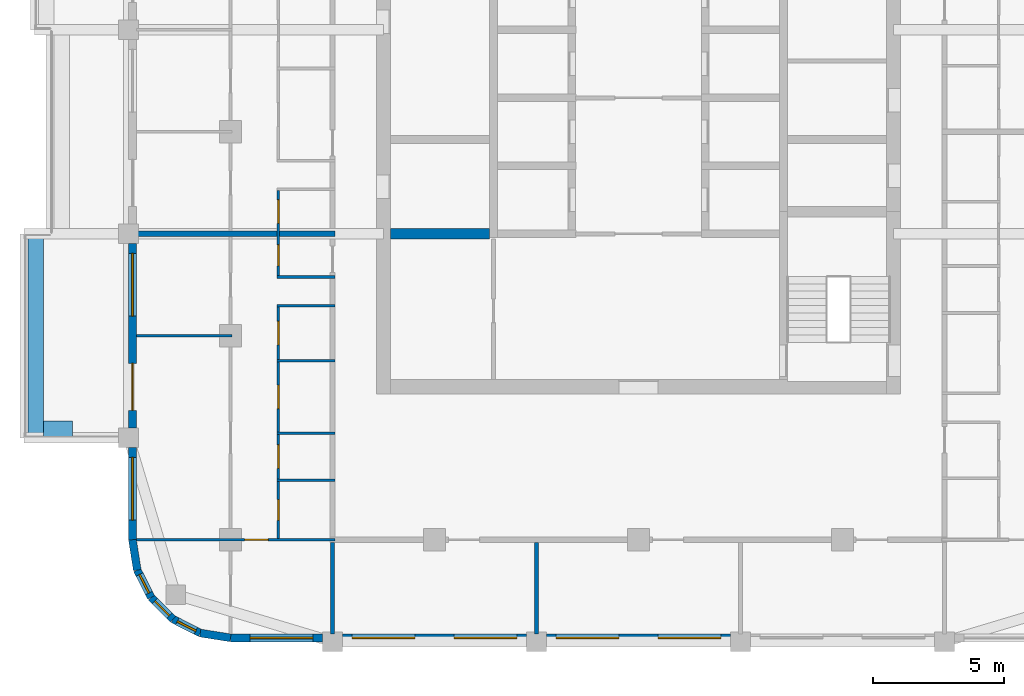
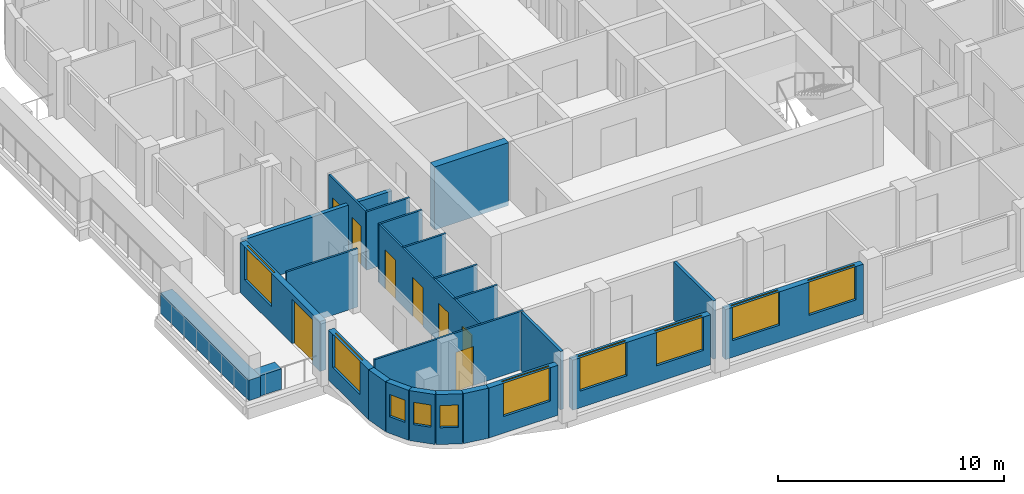
# One storey, part 2 of 13: 25 walls, 10 windows, 8 doors, 18 openings.
"""IFC4 building model written with IfcOpenShell, lengths in metres."""

from ifc_helpers import new_model, si_unit, direction, frame, frame_2d, origin, place, context, subcontext, project, spatial, rectangle, extrude, material, layer, layer_set, type_object, element, fill, save


model = new_model("IFC4")

# Units and contexts
model_context = context("Model", 3, precision=1e-05, world=origin(), true_north=direction((0.0, 1.0)))
body_context = subcontext(model_context, "Body", "Model", "MODEL_VIEW")
ifc_project = project(units=[si_unit("LENGTHUNIT", "METRE"), si_unit("AREAUNIT", "SQUARE_METRE"), si_unit("VOLUMEUNIT", "CUBIC_METRE"), si_unit("PLANEANGLEUNIT", "RADIAN"), si_unit("MASSUNIT", "GRAM", prefix="KILO")], contexts=[model_context])

# Site, building, storey
site_placement = place(None, origin())
site = spatial("IfcSite", under=ifc_project, at=site_placement, CompositionType="ELEMENT")
building_placement = place(site_placement, origin())
building = spatial("IfcBuilding", under=site, at=building_placement, Name="Ludao Terraces", CompositionType="ELEMENT")
storey_placement = place(building_placement, frame((0.0, 0.0, 152.0)))
storey = spatial("IfcBuildingStorey", under=building, at=storey_placement, Name="L41", CompositionType="ELEMENT", Elevation=152.0)

# Walls
ifc_material_1 = material(Name="Concrete C40", Category="concrete")
ifc_layer_1 = layer(ifc_material_1, 0.60009765625)
ifc_layer_set_1 = layer_set([ifc_layer_1], Name="ENV Planter trough 600")
wall_type_1 = type_object("IfcWallType", Name="ENV Planter trough 600", PredefinedType="USERDEFINED", material=ifc_layer_set_1)
wall_1_placement = place(storey_placement, frame((61.949951171875, 53.300048828125, 0.0), z_axis=(0.0, 0.0, 1.0), x_axis=(0.0, 1.0, 0.0)))
element("IfcWall", 1, at=wall_1_placement, inside=storey, type_object=wall_type_1, Name="PL-L41-W1", ObjectType="PLANTER", PredefinedType="USERDEFINED", context=body_context, shape_type="SweptSolid", body=[
    extrude(rectangle(XDim=7.800048828125, YDim=0.60009765625, at=frame_2d((3.89990234375, 0.0))), origin(), (0.0, 0.0, 1.0), 1.10009765625),
])
wall_2_placement = place(storey_placement, frame((62.25, 53.64990234375, 0.0), z_axis=(0.0, 0.0, 1.0), x_axis=(1.0, 0.0, 0.0)))
element("IfcWall", 2, at=wall_2_placement, inside=storey, type_object=wall_type_1, Name="PL-L41-W1-SA", ObjectType="PLANTER", PredefinedType="USERDEFINED", context=body_context, shape_type="SweptSolid", body=[
    extrude(rectangle(XDim=1.10009765625, YDim=0.60009765625, at=frame_2d((0.550048828125, 0.0))), origin(), (0.0, 0.0, 1.0), 1.10009765625),
])

# Wall, opening, window
ifc_material_2 = material(Name="Granite cladding", Category="masonry")
ifc_layer_2 = layer(ifc_material_2, 0.0400390625, Category="stone")
ifc_material_3 = material(Name="Mineral wool")
ifc_layer_3 = layer(ifc_material_3, 0.06005859375)
ifc_layer_4 = layer(ifc_material_1, 0.199951171875, Category="concrete")
ifc_layer_set_2 = layer_set([ifc_layer_2, ifc_layer_3, ifc_layer_4], Name="ENV Stone-clad wall 300")
wall_type_2 = type_object("IfcWallType", Name="ENV Stone-clad wall 300", PredefinedType="SOLIDWALL", material=ifc_layer_set_2)
wall_3_placement = place(storey_placement, frame((69.39990234375, 45.64990234375, 0.0), z_axis=(0.0, 0.0, 1.0), x_axis=(1.0, 0.0, 0.0)))
wall_3 = element("IfcWall", 3, at=wall_3_placement, inside=storey, type_object=wall_type_2, Name="EW-L41-S1", PredefinedType="SOLIDWALL", context=body_context, shape_type="SweptSolid", body=[
    extrude(rectangle(XDim=3.525146484375, YDim=0.300048828125, at=frame_2d((1.7626953125, 0.0))), origin(), (0.0, 0.0, 1.0), 2.699951171875),
])
opening_1_placement = place(wall_3_placement, frame((0.75, 0.0, 0.89990234375)))
opening_1 = element("IfcOpeningElement", 4, at=opening_1_placement, cuts=wall_3, Name="Opening W1", PredefinedType="OPENING", context=body_context, shape_type="SweptSolid", body=[
    extrude(rectangle(XDim=2.39990234375, YDim=1.800048828125, at=frame_2d((1.199951171875, 0.89990234375))), frame((0.0, 0.16015625, 0.0), z_axis=(0.0, -1.0, 0.0), x_axis=(1.0, 0.0, 0.0)), (0.0, 0.0, 1.0), 0.320068359375),
])
ifc_material_4 = material(Name="Clear glass in aluminium frame", Category="aluminium")
ifc_layer_5 = layer(ifc_material_4, 0.06005859375)
ifc_layer_set_3 = layer_set([ifc_layer_5], Name="ENV Window W1 2400x1800")
window_type_1 = type_object("IfcWindowType", Name="ENV Window W1 2400x1800", PartitioningType="DOUBLE_PANEL_VERTICAL", PredefinedType="WINDOW", material=ifc_layer_set_3)
window_1_placement = place(opening_1_placement, origin())
window_1 = element("IfcWindow", 5, at=window_1_placement, inside=storey, type_object=window_type_1, Name="W-L41-S1-1", OverallHeight=1.800048828125, OverallWidth=2.39990234375, PartitioningType="DOUBLE_PANEL_VERTICAL", PredefinedType="WINDOW", context=body_context, shape_type="SweptSolid", body=[
    extrude(rectangle(XDim=2.39990234375, YDim=1.800048828125, at=frame_2d((1.199951171875, 0.89990234375))), frame((0.0, 0.030029296875, 0.0), z_axis=(0.0, -1.0, 0.0), x_axis=(1.0, 0.0, 0.0)), (0.0, 0.0, 1.0), 0.06005859375),
])
fill(opening_1, window_1)

# Wall, openings, windows
wall_4_placement = place(storey_placement, frame((73.675048828125, 45.64990234375, 0.0), z_axis=(0.0, 0.0, 1.0), x_axis=(1.0, 0.0, 0.0)))
wall_4 = element("IfcWall", 6, at=wall_4_placement, inside=storey, type_object=wall_type_2, Name="EW-L41-S2", PredefinedType="SOLIDWALL", context=body_context, shape_type="SweptSolid", body=[
    extrude(rectangle(XDim=7.050048828125, YDim=0.300048828125, at=frame_2d((3.52490234375, 0.0))), origin(), (0.0, 0.0, 1.0), 2.699951171875),
])
opening_2_placement = place(wall_4_placement, frame((0.375, 0.0, 0.89990234375)))
opening_2 = element("IfcOpeningElement", 7, at=opening_2_placement, cuts=wall_4, Name="Opening W1", PredefinedType="OPENING", context=body_context, shape_type="SweptSolid", body=[
    extrude(rectangle(XDim=2.39990234375, YDim=1.800048828125, at=frame_2d((1.199951171875, 0.89990234375))), frame((0.0, 0.16015625, 0.0), z_axis=(0.0, -1.0, 0.0), x_axis=(1.0, 0.0, 0.0)), (0.0, 0.0, 1.0), 0.320068359375),
])
opening_3_placement = place(wall_4_placement, frame((4.27490234375, 0.0, 0.89990234375)))
opening_3 = element("IfcOpeningElement", 8, at=opening_3_placement, cuts=wall_4, Name="Opening W1", PredefinedType="OPENING", context=body_context, shape_type="SweptSolid", body=[
    extrude(rectangle(XDim=2.39990234375, YDim=1.800048828125, at=frame_2d((1.199951171875, 0.89990234375))), frame((0.0, 0.16015625, 0.0), z_axis=(0.0, -1.0, 0.0), x_axis=(1.0, 0.0, 0.0)), (0.0, 0.0, 1.0), 0.320068359375),
])
window_2_placement = place(opening_2_placement, origin())
window_2 = element("IfcWindow", 9, at=window_2_placement, inside=storey, type_object=window_type_1, Name="W-L41-S2-1", OverallHeight=1.800048828125, OverallWidth=2.39990234375, PartitioningType="DOUBLE_PANEL_VERTICAL", PredefinedType="WINDOW", context=body_context, shape_type="SweptSolid", body=[
    extrude(rectangle(XDim=2.39990234375, YDim=1.800048828125, at=frame_2d((1.199951171875, 0.89990234375))), frame((0.0, 0.030029296875, 0.0), z_axis=(0.0, -1.0, 0.0), x_axis=(1.0, 0.0, 0.0)), (0.0, 0.0, 1.0), 0.06005859375),
])
fill(opening_2, window_2)
window_3_placement = place(opening_3_placement, origin())
window_3 = element("IfcWindow", 10, at=window_3_placement, inside=storey, type_object=window_type_1, Name="W-L41-S2-2", OverallHeight=1.800048828125, OverallWidth=2.39990234375, PartitioningType="DOUBLE_PANEL_VERTICAL", PredefinedType="WINDOW", context=body_context, shape_type="SweptSolid", body=[
    extrude(rectangle(XDim=2.39990234375, YDim=1.800048828125, at=frame_2d((1.199951171875, 0.89990234375))), frame((0.0, 0.030029296875, 0.0), z_axis=(0.0, -1.0, 0.0), x_axis=(1.0, 0.0, 0.0)), (0.0, 0.0, 1.0), 0.06005859375),
])
fill(opening_3, window_3)

wall_5_placement = place(storey_placement, frame((81.47509765625, 45.64990234375, 0.0), z_axis=(0.0, 0.0, 1.0), x_axis=(1.0, 0.0, 0.0)))
wall_5 = element("IfcWall", 11, at=wall_5_placement, inside=storey, type_object=wall_type_2, Name="EW-L41-S3", PredefinedType="SOLIDWALL", context=body_context, shape_type="SweptSolid", body=[
    extrude(rectangle(XDim=7.0498046875, YDim=0.300048828125, at=frame_2d((3.52490234375, 0.0))), origin(), (0.0, 0.0, 1.0), 2.699951171875),
])
opening_4_placement = place(wall_5_placement, frame((0.375, 0.0, 0.89990234375)))
opening_4 = element("IfcOpeningElement", 12, at=opening_4_placement, cuts=wall_5, Name="Opening W1", PredefinedType="OPENING", context=body_context, shape_type="SweptSolid", body=[
    extrude(rectangle(XDim=2.39990234375, YDim=1.800048828125, at=frame_2d((1.199951171875, 0.89990234375))), frame((0.0, 0.16015625, 0.0), z_axis=(0.0, -1.0, 0.0), x_axis=(1.0, 0.0, 0.0)), (0.0, 0.0, 1.0), 0.320068359375),
])
opening_5_placement = place(wall_5_placement, frame((4.27490234375, 0.0, 0.89990234375)))
opening_5 = element("IfcOpeningElement", 13, at=opening_5_placement, cuts=wall_5, Name="Opening W1", PredefinedType="OPENING", context=body_context, shape_type="SweptSolid", body=[
    extrude(rectangle(XDim=2.39990234375, YDim=1.800048828125, at=frame_2d((1.199951171875, 0.89990234375))), frame((0.0, 0.16015625, 0.0), z_axis=(0.0, -1.0, 0.0), x_axis=(1.0, 0.0, 0.0)), (0.0, 0.0, 1.0), 0.320068359375),
])
window_4_placement = place(opening_4_placement, origin())
window_4 = element("IfcWindow", 14, at=window_4_placement, inside=storey, type_object=window_type_1, Name="W-L41-S3-1", OverallHeight=1.800048828125, OverallWidth=2.39990234375, PartitioningType="DOUBLE_PANEL_VERTICAL", PredefinedType="WINDOW", context=body_context, shape_type="SweptSolid", body=[
    extrude(rectangle(XDim=2.39990234375, YDim=1.800048828125, at=frame_2d((1.199951171875, 0.89990234375))), frame((0.0, 0.030029296875, 0.0), z_axis=(0.0, -1.0, 0.0), x_axis=(1.0, 0.0, 0.0)), (0.0, 0.0, 1.0), 0.06005859375),
])
fill(opening_4, window_4)
window_5_placement = place(opening_5_placement, origin())
window_5 = element("IfcWindow", 15, at=window_5_placement, inside=storey, type_object=window_type_1, Name="W-L41-S3-2", OverallHeight=1.800048828125, OverallWidth=2.39990234375, PartitioningType="DOUBLE_PANEL_VERTICAL", PredefinedType="WINDOW", context=body_context, shape_type="SweptSolid", body=[
    extrude(rectangle(XDim=2.39990234375, YDim=1.800048828125, at=frame_2d((1.199951171875, 0.89990234375))), frame((0.0, 0.030029296875, 0.0), z_axis=(0.0, -1.0, 0.0), x_axis=(1.0, 0.0, 0.0)), (0.0, 0.0, 1.0), 0.06005859375),
])
fill(opening_5, window_5)

# Wall, opening, window
wall_6_placement = place(storey_placement, frame((65.64990234375, 49.39990234375, 0.0), z_axis=(0.0, 0.0, 1.0), x_axis=(0.0, 1.0, 0.0)))
wall_6 = element("IfcWall", 16, at=wall_6_placement, inside=storey, type_object=wall_type_2, Name="EW-L41-W1", PredefinedType="SOLIDWALL", context=body_context, shape_type="SweptSolid", body=[
    extrude(rectangle(XDim=3.525146484375, YDim=0.300048828125, at=frame_2d((1.7626953125, 0.0))), origin(), (0.0, 0.0, 1.0), 2.699951171875),
])
opening_6_placement = place(wall_6_placement, frame((0.75, 0.0, 0.89990234375)))
opening_6 = element("IfcOpeningElement", 17, at=opening_6_placement, cuts=wall_6, Name="Opening W1", PredefinedType="OPENING", context=body_context, shape_type="SweptSolid", body=[
    extrude(rectangle(XDim=2.39990234375, YDim=1.800048828125, at=frame_2d((1.199951171875, 0.89990234375))), frame((0.0, 0.16015625, 0.0), z_axis=(0.0, -1.0, 0.0), x_axis=(1.0, 0.0, 0.0)), (0.0, 0.0, 1.0), 0.320068359375),
])
window_6_placement = place(opening_6_placement, origin())
window_6 = element("IfcWindow", 18, at=window_6_placement, inside=storey, type_object=window_type_1, Name="W-L41-W1-1", OverallHeight=1.800048828125, OverallWidth=2.39990234375, PartitioningType="DOUBLE_PANEL_VERTICAL", PredefinedType="WINDOW", context=body_context, shape_type="SweptSolid", body=[
    extrude(rectangle(XDim=2.39990234375, YDim=1.800048828125, at=frame_2d((1.199951171875, 0.89990234375))), frame((0.0, 0.030029296875, 0.0), z_axis=(0.0, -1.0, 0.0), x_axis=(1.0, 0.0, 0.0)), (0.0, 0.0, 1.0), 0.06005859375),
])
fill(opening_6, window_6)

# Wall, openings, door, window
wall_7_placement = place(storey_placement, frame((65.64990234375, 53.675048828125, 0.0), z_axis=(0.0, 0.0, 1.0), x_axis=(0.0, 1.0, 0.0)))
wall_7 = element("IfcWall", 19, at=wall_7_placement, inside=storey, type_object=wall_type_2, Name="EW-L41-W2", PredefinedType="SOLIDWALL", context=body_context, shape_type="SweptSolid", body=[
    extrude(rectangle(XDim=7.050048828125, YDim=0.300048828125, at=frame_2d((3.52490234375, 0.0))), origin(), (0.0, 0.0, 1.0), 2.699951171875),
])
opening_7_placement = place(wall_7_placement, frame((0.675048828125, 0.0, 0.0)))
opening_7 = element("IfcOpeningElement", 20, at=opening_7_placement, cuts=wall_7, Name="Opening BD", PredefinedType="OPENING", context=body_context, shape_type="SweptSolid", body=[
    extrude(rectangle(XDim=1.800048828125, YDim=2.39990234375, at=frame_2d((0.89990234375, 1.199951171875))), frame((0.0, 0.16015625, 0.0), z_axis=(0.0, -1.0, 0.0), x_axis=(1.0, 0.0, 0.0)), (0.0, 0.0, 1.0), 0.320068359375),
])
opening_8_placement = place(wall_7_placement, frame((4.27490234375, 0.0, 0.89990234375)))
opening_8 = element("IfcOpeningElement", 21, at=opening_8_placement, cuts=wall_7, Name="Opening W1", PredefinedType="OPENING", context=body_context, shape_type="SweptSolid", body=[
    extrude(rectangle(XDim=2.39990234375, YDim=1.800048828125, at=frame_2d((1.199951171875, 0.89990234375))), frame((0.0, 0.16015625, 0.0), z_axis=(0.0, -1.0, 0.0), x_axis=(1.0, 0.0, 0.0)), (0.0, 0.0, 1.0), 0.320068359375),
])
ifc_material_5 = material(Name="Aluminium glazed door", Category="aluminium")
ifc_layer_6 = layer(ifc_material_5, 0.06005859375)
ifc_layer_set_4 = layer_set([ifc_layer_6], Name="ENV Balcony door BD 1800x2400")
door_type_1 = type_object("IfcDoorType", Name="ENV Balcony door BD 1800x2400", OperationType="DOUBLE_DOOR_SINGLE_SWING", PredefinedType="DOOR", material=ifc_layer_set_4)
door_1_placement = place(opening_7_placement, origin())
door_1 = element("IfcDoor", 22, at=door_1_placement, inside=storey, type_object=door_type_1, Name="BD-L41-W2-1", OperationType="DOUBLE_DOOR_SINGLE_SWING", OverallHeight=2.39990234375, OverallWidth=1.800048828125, PredefinedType="DOOR", context=body_context, shape_type="SweptSolid", body=[
    extrude(rectangle(XDim=1.800048828125, YDim=2.39990234375, at=frame_2d((0.89990234375, 1.199951171875))), frame((0.0, 0.02490234375, 0.0), z_axis=(0.0, -1.0, 0.0), x_axis=(1.0, 0.0, 0.0)), (0.0, 0.0, 1.0), 0.050048828125),
])
fill(opening_7, door_1)
window_7_placement = place(opening_8_placement, origin())
window_7 = element("IfcWindow", 23, at=window_7_placement, inside=storey, type_object=window_type_1, Name="W-L41-W2-2", OverallHeight=1.800048828125, OverallWidth=2.39990234375, PartitioningType="DOUBLE_PANEL_VERTICAL", PredefinedType="WINDOW", context=body_context, shape_type="SweptSolid", body=[
    extrude(rectangle(XDim=2.39990234375, YDim=1.800048828125, at=frame_2d((1.199951171875, 0.89990234375))), frame((0.0, 0.030029296875, 0.0), z_axis=(0.0, -1.0, 0.0), x_axis=(1.0, 0.0, 0.0)), (0.0, 0.0, 1.0), 0.06005859375),
])
fill(opening_8, window_7)

# Wall
wall_8_placement = place(storey_placement, frame((65.64990234375, 49.39990234375, 0.0), z_axis=(0.0, 0.0, 1.0), x_axis=(0.156496880861, -0.987678452879, 0.0)))
element("IfcWall", 24, at=wall_8_placement, inside=storey, type_object=wall_type_2, Name="EW-L41-SW1", PredefinedType="SOLIDWALL", context=body_context, shape_type="SweptSolid", body=[
    extrude(rectangle(XDim=1.173095703125, YDim=0.300048828125, at=frame_2d((0.58642578125, 0.0))), origin(), (0.0, 0.0, 1.0), 2.699951171875),
])

# Wall, opening, window
wall_9_placement = place(storey_placement, frame((65.83349609375, 48.2412109375, 0.0), z_axis=(0.0, 0.0, 1.0), x_axis=(0.454025524128, -0.890988677504, 0.0)))
wall_9 = element("IfcWall", 25, at=wall_9_placement, inside=storey, type_object=wall_type_2, Name="EW-L41-SW2", PredefinedType="SOLIDWALL", context=body_context, shape_type="SweptSolid", body=[
    extrude(rectangle(XDim=1.17333984375, YDim=0.300048828125, at=frame_2d((0.586669921875, 0.0))), origin(), (0.0, 0.0, 1.0), 2.699951171875),
])
opening_9_placement = place(wall_9_placement, frame((0.1865234375, 0.0, 0.89990234375)))
opening_9 = element("IfcOpeningElement", 26, at=opening_9_placement, cuts=wall_9, Name="Opening W3", PredefinedType="OPENING", context=body_context, shape_type="SweptSolid", body=[
    extrude(rectangle(XDim=0.800048828125, YDim=1.199951171875, at=frame_2d((0.39990234375, 0.60009765625))), frame((0.0, 0.16015625, 0.0), z_axis=(0.0, -1.0, 0.0), x_axis=(1.0, 0.0, 0.0)), (0.0, 0.0, 1.0), 0.320068359375),
])
ifc_layer_7 = layer(ifc_material_4, 0.06005859375)
ifc_layer_set_5 = layer_set([ifc_layer_7], Name="ENV Window W3 800x1200")
window_type_2 = type_object("IfcWindowType", Name="ENV Window W3 800x1200", PartitioningType="SINGLE_PANEL", PredefinedType="WINDOW", material=ifc_layer_set_5)
window_8_placement = place(opening_9_placement, origin())
window_8 = element("IfcWindow", 27, at=window_8_placement, inside=storey, type_object=window_type_2, Name="W-L41-SW2", OverallHeight=1.199951171875, OverallWidth=0.800048828125, PartitioningType="SINGLE_PANEL", PredefinedType="WINDOW", context=body_context, shape_type="SweptSolid", body=[
    extrude(rectangle(XDim=0.800048828125, YDim=1.199951171875, at=frame_2d((0.39990234375, 0.60009765625))), frame((0.0, 0.030029296875, 0.0), z_axis=(0.0, -1.0, 0.0), x_axis=(1.0, 0.0, 0.0)), (0.0, 0.0, 1.0), 0.06005859375),
])
fill(opening_9, window_8)

wall_10_placement = place(storey_placement, frame((66.3662109375, 47.19580078125, 0.0), z_axis=(0.0, 0.0, 1.0), x_axis=(0.707106781187, -0.707106781187, 0.0)))
wall_10 = element("IfcWall", 28, at=wall_10_placement, inside=storey, type_object=wall_type_2, Name="EW-L41-SW3", PredefinedType="SOLIDWALL", context=body_context, shape_type="SweptSolid", body=[
    extrude(rectangle(XDim=1.173095703125, YDim=0.300048828125, at=frame_2d((0.58642578125, 0.0))), origin(), (0.0, 0.0, 1.0), 2.699951171875),
])
opening_10_placement = place(wall_10_placement, frame((0.1865234375, 0.0, 0.89990234375)))
opening_10 = element("IfcOpeningElement", 29, at=opening_10_placement, cuts=wall_10, Name="Opening W3", PredefinedType="OPENING", context=body_context, shape_type="SweptSolid", body=[
    extrude(rectangle(XDim=0.800048828125, YDim=1.199951171875, at=frame_2d((0.39990234375, 0.60009765625))), frame((0.0, 0.16015625, 0.0), z_axis=(0.0, -1.0, 0.0), x_axis=(1.0, 0.0, 0.0)), (0.0, 0.0, 1.0), 0.320068359375),
])
window_9_placement = place(opening_10_placement, origin())
window_9 = element("IfcWindow", 30, at=window_9_placement, inside=storey, type_object=window_type_2, Name="W-L41-SW3", OverallHeight=1.199951171875, OverallWidth=0.800048828125, PartitioningType="SINGLE_PANEL", PredefinedType="WINDOW", context=body_context, shape_type="SweptSolid", body=[
    extrude(rectangle(XDim=0.800048828125, YDim=1.199951171875, at=frame_2d((0.39990234375, 0.60009765625))), frame((0.0, 0.030029296875, 0.0), z_axis=(0.0, -1.0, 0.0), x_axis=(1.0, 0.0, 0.0)), (0.0, 0.0, 1.0), 0.06005859375),
])
fill(opening_10, window_9)

wall_11_placement = place(storey_placement, frame((67.19580078125, 46.3662109375, 0.0), z_axis=(0.0, 0.0, 1.0), x_axis=(0.890988677504, -0.454025524128, 0.0)))
wall_11 = element("IfcWall", 31, at=wall_11_placement, inside=storey, type_object=wall_type_2, Name="EW-L41-SW4", PredefinedType="SOLIDWALL", context=body_context, shape_type="SweptSolid", body=[
    extrude(rectangle(XDim=1.17333984375, YDim=0.300048828125, at=frame_2d((0.586669921875, 0.0))), origin(), (0.0, 0.0, 1.0), 2.699951171875),
])
opening_11_placement = place(wall_11_placement, frame((0.1865234375, 0.0, 0.89990234375)))
opening_11 = element("IfcOpeningElement", 32, at=opening_11_placement, cuts=wall_11, Name="Opening W3", PredefinedType="OPENING", context=body_context, shape_type="SweptSolid", body=[
    extrude(rectangle(XDim=0.800048828125, YDim=1.199951171875, at=frame_2d((0.39990234375, 0.60009765625))), frame((0.0, 0.16015625, 0.0), z_axis=(0.0, -1.0, 0.0), x_axis=(1.0, 0.0, 0.0)), (0.0, 0.0, 1.0), 0.320068359375),
])
window_10_placement = place(opening_11_placement, origin())
window_10 = element("IfcWindow", 33, at=window_10_placement, inside=storey, type_object=window_type_2, Name="W-L41-SW4", OverallHeight=1.199951171875, OverallWidth=0.800048828125, PartitioningType="SINGLE_PANEL", PredefinedType="WINDOW", context=body_context, shape_type="SweptSolid", body=[
    extrude(rectangle(XDim=0.800048828125, YDim=1.199951171875, at=frame_2d((0.39990234375, 0.60009765625))), frame((0.0, 0.030029296875, 0.0), z_axis=(0.0, -1.0, 0.0), x_axis=(1.0, 0.0, 0.0)), (0.0, 0.0, 1.0), 0.06005859375),
])
fill(opening_11, window_10)

# Wall
wall_12_placement = place(storey_placement, frame((68.2412109375, 45.83349609375, 0.0), z_axis=(0.0, 0.0, 1.0), x_axis=(0.987678452879, -0.156496880861, 0.0)))
element("IfcWall", 34, at=wall_12_placement, inside=storey, type_object=wall_type_2, Name="EW-L41-SW5", PredefinedType="SOLIDWALL", context=body_context, shape_type="SweptSolid", body=[
    extrude(rectangle(XDim=1.173095703125, YDim=0.300048828125, at=frame_2d((0.58642578125, 0.0))), origin(), (0.0, 0.0, 1.0), 2.699951171875),
])

# Wall, opening, door
ifc_material_6 = material(Name="Gypsum plasterboard", Category="gypsum")
ifc_layer_8 = layer(ifc_material_6, 0.012451171875, Category="gypsum")
ifc_layer_9 = layer(ifc_material_3, 0.06005859375, Name="insulation")
ifc_material_7 = material(Name="Steel Q235", Category="steel")
ifc_layer_10 = layer(ifc_material_7, 0.014892578125, Name="stud")
ifc_layer_11 = layer(ifc_material_6, 0.012451171875, Category="gypsum")
ifc_layer_set_6 = layer_set([ifc_layer_8, ifc_layer_9, ifc_layer_10, ifc_layer_11], Name="INT Partition 100")
wall_type_3 = type_object("IfcWallType", Name="INT Partition 100", PredefinedType="PARTITIONING", material=ifc_layer_set_6)
wall_13_placement = place(storey_placement, frame((65.800048828125, 49.39990234375, 0.0), z_axis=(0.0, 0.0, 1.0), x_axis=(1.0, 0.0, 0.0)))
wall_13 = element("IfcWall", 35, at=wall_13_placement, inside=storey, type_object=wall_type_3, Name="PW-L41-PW000", PredefinedType="PARTITIONING", context=body_context, shape_type="SweptSolid", body=[
    extrude(rectangle(XDim=7.60009765625, YDim=0.10009765625, at=frame_2d((3.800048828125, 0.0))), origin(), (0.0, 0.0, 1.0), 3.14990234375),
])
opening_12_placement = place(wall_13_placement, frame((4.139892578125, 0.0, 0.0)))
opening_12 = element("IfcOpeningElement", 36, at=opening_12_placement, cuts=wall_13, Name="Opening R14-003", PredefinedType="OPENING", context=body_context, shape_type="SweptSolid", body=[
    extrude(rectangle(XDim=0.89990234375, YDim=2.10009765625, at=frame_2d((0.449951171875, 1.050048828125))), frame((0.0, 0.06005859375, 0.0), z_axis=(0.0, -1.0, 0.0), x_axis=(1.0, 0.0, 0.0)), (0.0, 0.0, 1.0), 0.1201171875),
])
ifc_material_8 = material(Name="Timber door leaf", Category="wood")
door_type_2 = type_object("IfcDoorType", Name="INT Room door 900", OperationType="SINGLE_SWING_LEFT", PredefinedType="DOOR", material=ifc_material_8)
door_2_placement = place(opening_12_placement, origin())
door_2 = element("IfcDoor", 37, at=door_2_placement, inside=storey, type_object=door_type_2, Name="DOOR 003", OperationType="SINGLE_SWING_RIGHT", OverallHeight=2.10009765625, OverallWidth=0.89990234375, PredefinedType="DOOR", context=body_context, shape_type="SweptSolid", body=[
    extrude(rectangle(XDim=0.89990234375, YDim=2.10009765625, at=frame_2d((0.449951171875, 1.050048828125))), frame((0.0, 0.02490234375, 0.0), z_axis=(0.0, -1.0, 0.0), x_axis=(1.0, 0.0, 0.0)), (0.0, 0.0, 1.0), 0.050048828125),
])
fill(opening_12, door_2)

# Walls
for number, where, z_axis, x_axis, name in (
    (38, (71.18017578125, 51.679931640625, 0.0), (0.0, 0.0, 1.0), (1.0, 0.0, 0.0), "PW-L41-PW003"),
    (39, (71.18017578125, 53.47998046875, 0.0), (0.0, 0.0, 1.0), (1.0, 0.0, 0.0), "PW-L41-PW006"),
    (40, (71.18017578125, 56.25, 0.0), (0.0, 0.0, 1.0), (1.0, 0.0, 0.0), "PW-L41-PW009"),
):
    element("IfcWall", number, at=place(storey_placement, frame(where, z_axis=z_axis, x_axis=x_axis)), inside=storey, type_object=wall_type_3, Name=name, PredefinedType="PARTITIONING", context=body_context, shape_type="SweptSolid", body=[
        extrude(rectangle(XDim=2.219970703125, YDim=0.10009765625, at=frame_2d((1.10986328125, 0.0))), origin(), (0.0, 0.0, 1.0), 3.14990234375),
    ])
wall_14_placement = place(storey_placement, frame((65.800048828125, 57.199951171875, 0.0), z_axis=(0.0, 0.0, 1.0), x_axis=(1.0, 0.0, 0.0)))
element("IfcWall", 41, at=wall_14_placement, inside=storey, type_object=wall_type_3, Name="PW-L41-PW010", PredefinedType="PARTITIONING", context=body_context, shape_type="SweptSolid", body=[
    extrude(rectangle(XDim=3.650146484375, YDim=0.10009765625, at=frame_2d((1.8251953125, 0.0))), origin(), (0.0, 0.0, 1.0), 3.14990234375),
])
for number, where, z_axis, x_axis, name in (
    (42, (71.18017578125, 58.35009765625, 0.0), (0.0, 0.0, 1.0), (1.0, 0.0, 0.0), "PW-L41-PW013"),
    (43, (71.18017578125, 59.449951171875, 0.0), (0.0, 0.0, 1.0), (1.0, 0.0, 0.0), "PW-L41-PW014"),
):
    element("IfcWall", number, at=place(storey_placement, frame(where, z_axis=z_axis, x_axis=x_axis)), inside=storey, type_object=wall_type_3, Name=name, PredefinedType="PARTITIONING", context=body_context, shape_type="SweptSolid", body=[
        extrude(rectangle(XDim=2.219970703125, YDim=0.10009765625, at=frame_2d((1.10986328125, 0.0))), origin(), (0.0, 0.0, 1.0), 3.14990234375),
    ])

# Wall, openings, doors
wall_15_placement = place(storey_placement, frame((71.22998046875, 49.4501953125, 0.0), z_axis=(0.0, 0.0, 1.0), x_axis=(0.0, 1.0, 0.0)))
wall_15 = element("IfcWall", 44, at=wall_15_placement, inside=storey, type_object=wall_type_3, Name="PW-L41-PW049", PredefinedType="PARTITIONING", context=body_context, shape_type="SweptSolid", body=[
    extrude(rectangle(XDim=8.849853515625, YDim=0.10009765625, at=frame_2d((4.4248046875, 0.0))), origin(), (0.0, 0.0, 1.0), 3.14990234375),
])
opening_13_placement = place(wall_15_placement, frame((0.68994140625, 0.0, 0.0)))
opening_13 = element("IfcOpeningElement", 45, at=opening_13_placement, cuts=wall_15, Name="Opening R14-008", PredefinedType="OPENING", context=body_context, shape_type="SweptSolid", body=[
    extrude(rectangle(XDim=0.800048828125, YDim=2.10009765625, at=frame_2d((0.39990234375, 1.050048828125))), frame((0.0, 0.06005859375, 0.0), z_axis=(0.0, -1.0, 0.0), x_axis=(1.0, 0.0, 0.0)), (0.0, 0.0, 1.0), 0.1201171875),
])
opening_14_placement = place(wall_15_placement, frame((2.679931640625, 0.0, 0.0)))
opening_14 = element("IfcOpeningElement", 46, at=opening_14_placement, cuts=wall_15, Name="Opening R14-011", PredefinedType="OPENING", context=body_context, shape_type="SweptSolid", body=[
    extrude(rectangle(XDim=0.89990234375, YDim=2.10009765625, at=frame_2d((0.449951171875, 1.050048828125))), frame((0.0, 0.06005859375, 0.0), z_axis=(0.0, -1.0, 0.0), x_axis=(1.0, 0.0, 0.0)), (0.0, 0.0, 1.0), 0.1201171875),
])
opening_15_placement = place(wall_15_placement, frame((4.96484375, 0.0, 0.0)))
opening_15 = element("IfcOpeningElement", 47, at=opening_15_placement, cuts=wall_15, Name="Opening R14-015", PredefinedType="OPENING", context=body_context, shape_type="SweptSolid", body=[
    extrude(rectangle(XDim=0.89990234375, YDim=2.10009765625, at=frame_2d((0.449951171875, 1.050048828125))), frame((0.0, 0.06005859375, 0.0), z_axis=(0.0, -1.0, 0.0), x_axis=(1.0, 0.0, 0.0)), (0.0, 0.0, 1.0), 0.1201171875),
])
opening_16_placement = place(wall_15_placement, frame((7.39990234375, 0.0, 0.0)))
opening_16 = element("IfcOpeningElement", 48, at=opening_16_placement, cuts=wall_15, Name="Opening R14-021", PredefinedType="OPENING", context=body_context, shape_type="SweptSolid", body=[
    extrude(rectangle(XDim=0.89990234375, YDim=2.10009765625, at=frame_2d((0.449951171875, 1.050048828125))), frame((0.0, 0.06005859375, 0.0), z_axis=(0.0, -1.0, 0.0), x_axis=(1.0, 0.0, 0.0)), (0.0, 0.0, 1.0), 0.1201171875),
])
door_type_3 = type_object("IfcDoorType", Name="INT Bathroom door 900", OperationType="SINGLE_SWING_LEFT", PredefinedType="DOOR", material=ifc_material_8)
door_3_placement = place(opening_14_placement, origin())
door_3 = element("IfcDoor", 49, at=door_3_placement, inside=storey, type_object=door_type_3, Name="DOOR 011", OperationType="SINGLE_SWING_LEFT", OverallHeight=2.10009765625, OverallWidth=0.89990234375, PredefinedType="DOOR", context=body_context, shape_type="SweptSolid", body=[
    extrude(rectangle(XDim=0.89990234375, YDim=2.10009765625, at=frame_2d((0.449951171875, 1.050048828125))), frame((0.0, 0.02490234375, 0.0), z_axis=(0.0, -1.0, 0.0), x_axis=(1.0, 0.0, 0.0)), (0.0, 0.0, 1.0), 0.050048828125),
])
fill(opening_14, door_3)
door_4_placement = place(opening_16_placement, origin())
door_4 = element("IfcDoor", 50, at=door_4_placement, inside=storey, type_object=door_type_3, Name="DOOR 021", OperationType="SINGLE_SWING_LEFT", OverallHeight=2.10009765625, OverallWidth=0.89990234375, PredefinedType="DOOR", context=body_context, shape_type="SweptSolid", body=[
    extrude(rectangle(XDim=0.89990234375, YDim=2.10009765625, at=frame_2d((0.449951171875, 1.050048828125))), frame((0.0, 0.02490234375, 0.0), z_axis=(0.0, -1.0, 0.0), x_axis=(1.0, 0.0, 0.0)), (0.0, 0.0, 1.0), 0.050048828125),
])
fill(opening_16, door_4)
door_5_placement = place(opening_15_placement, origin())
door_5 = element("IfcDoor", 51, at=door_5_placement, inside=storey, type_object=door_type_2, Name="DOOR 015", OperationType="SINGLE_SWING_RIGHT", OverallHeight=2.10009765625, OverallWidth=0.89990234375, PredefinedType="DOOR", context=body_context, shape_type="SweptSolid", body=[
    extrude(rectangle(XDim=0.89990234375, YDim=2.10009765625, at=frame_2d((0.449951171875, 1.050048828125))), frame((0.0, 0.02490234375, 0.0), z_axis=(0.0, -1.0, 0.0), x_axis=(1.0, 0.0, 0.0)), (0.0, 0.0, 1.0), 0.050048828125),
])
fill(opening_15, door_5)
door_type_4 = type_object("IfcDoorType", Name="INT Store door 800", OperationType="SINGLE_SWING_LEFT", PredefinedType="DOOR", material=ifc_material_8)
door_6_placement = place(opening_13_placement, origin())
door_6 = element("IfcDoor", 52, at=door_6_placement, inside=storey, type_object=door_type_4, Name="DOOR 008", OperationType="SINGLE_SWING_RIGHT", OverallHeight=2.10009765625, OverallWidth=0.800048828125, PredefinedType="DOOR", context=body_context, shape_type="SweptSolid", body=[
    extrude(rectangle(XDim=0.800048828125, YDim=2.10009765625, at=frame_2d((0.39990234375, 1.050048828125))), frame((0.0, 0.02490234375, 0.0), z_axis=(0.0, -1.0, 0.0), x_axis=(1.0, 0.0, 0.0)), (0.0, 0.0, 1.0), 0.050048828125),
])
fill(opening_13, door_6)

wall_16_placement = place(storey_placement, frame((71.22998046875, 59.5, 0.0), z_axis=(0.0, 0.0, 1.0), x_axis=(0.0, 1.0, 0.0)))
wall_16 = element("IfcWall", 53, at=wall_16_placement, inside=storey, type_object=wall_type_3, Name="PW-L41-PW050", PredefinedType="PARTITIONING", context=body_context, shape_type="SweptSolid", body=[
    extrude(rectangle(XDim=3.25, YDim=0.10009765625, at=frame_2d((1.625, 0.0))), origin(), (0.0, 0.0, 1.0), 3.14990234375),
])
opening_17_placement = place(wall_16_placement, frame((0.375, 0.0, 0.0)))
opening_17 = element("IfcOpeningElement", 54, at=opening_17_placement, cuts=wall_16, Name="Opening R14-027", PredefinedType="OPENING", context=body_context, shape_type="SweptSolid", body=[
    extrude(rectangle(XDim=0.800048828125, YDim=2.10009765625, at=frame_2d((0.39990234375, 1.050048828125))), frame((0.0, 0.06005859375, 0.0), z_axis=(0.0, -1.0, 0.0), x_axis=(1.0, 0.0, 0.0)), (0.0, 0.0, 1.0), 0.1201171875),
])
opening_18_placement = place(wall_16_placement, frame((2.0, 0.0, 0.0)))
opening_18 = element("IfcOpeningElement", 55, at=opening_18_placement, cuts=wall_16, Name="Opening R14-030", PredefinedType="OPENING", context=body_context, shape_type="SweptSolid", body=[
    extrude(rectangle(XDim=0.89990234375, YDim=2.10009765625, at=frame_2d((0.449951171875, 1.050048828125))), frame((0.0, 0.06005859375, 0.0), z_axis=(0.0, -1.0, 0.0), x_axis=(1.0, 0.0, 0.0)), (0.0, 0.0, 1.0), 0.1201171875),
])
door_7_placement = place(opening_18_placement, origin())
door_7 = element("IfcDoor", 56, at=door_7_placement, inside=storey, type_object=door_type_3, Name="DOOR 030", OperationType="SINGLE_SWING_RIGHT", OverallHeight=2.10009765625, OverallWidth=0.89990234375, PredefinedType="DOOR", context=body_context, shape_type="SweptSolid", body=[
    extrude(rectangle(XDim=0.89990234375, YDim=2.10009765625, at=frame_2d((0.449951171875, 1.050048828125))), frame((0.0, 0.02490234375, 0.0), z_axis=(0.0, -1.0, 0.0), x_axis=(1.0, 0.0, 0.0)), (0.0, 0.0, 1.0), 0.050048828125),
])
fill(opening_18, door_7)
door_8_placement = place(opening_17_placement, origin())
door_8 = element("IfcDoor", 57, at=door_8_placement, inside=storey, type_object=door_type_4, Name="DOOR 027", OperationType="SINGLE_SWING_LEFT", OverallHeight=2.10009765625, OverallWidth=0.800048828125, PredefinedType="DOOR", context=body_context, shape_type="SweptSolid", body=[
    extrude(rectangle(XDim=0.800048828125, YDim=2.10009765625, at=frame_2d((0.39990234375, 1.050048828125))), frame((0.0, 0.02490234375, 0.0), z_axis=(0.0, -1.0, 0.0), x_axis=(1.0, 0.0, 0.0)), (0.0, 0.0, 1.0), 0.050048828125),
])
fill(opening_17, door_8)

# Walls
ifc_material_9 = material(Name="Autoclaved aerated concrete block B06 A3.5", Category="concrete")
ifc_layer_12 = layer(ifc_material_9, 0.14990234375)
ifc_layer_set_7 = layer_set([ifc_layer_12], Name="INT Party wall 150")
wall_type_4 = type_object("IfcWallType", Name="INT Party wall 150", PredefinedType="PARTITIONING", material=ifc_layer_set_7)
for number, where, z_axis, x_axis, name in (
    (58, (73.300048828125, 45.800048828125, 0.0), (0.0, 0.0, 1.0), (0.0, 1.0, 0.0), "PW-L41-PW053"),
    (59, (81.10009765625, 45.800048828125, 0.0), (0.0, 0.0, 1.0), (0.0, 1.0, 0.0), "PW-L41-PW056"),
):
    element("IfcWall", number, at=place(storey_placement, frame(where, z_axis=z_axis, x_axis=x_axis)), inside=storey, type_object=wall_type_4, Name=name, PredefinedType="PARTITIONING", context=body_context, shape_type="SweptSolid", body=[
        extrude(rectangle(XDim=3.5, YDim=0.14990234375, at=frame_2d((1.75, 0.0))), origin(), (0.0, 0.0, 1.0), 3.14990234375),
    ])
ifc_layer_13 = layer(ifc_material_9, 0.199951171875)
ifc_layer_set_8 = layer_set([ifc_layer_13], Name="INT Party wall 200")
wall_type_5 = type_object("IfcWallType", Name="INT Party wall 200", PredefinedType="PARTITIONING", material=ifc_layer_set_8)
wall_17_placement = place(storey_placement, frame((65.800048828125, 61.10009765625, 0.0), z_axis=(0.0, 0.0, 1.0), x_axis=(1.0, 0.0, 0.0)))
element("IfcWall", 60, at=wall_17_placement, inside=storey, type_object=wall_type_5, Name="PW-L41-PW016", PredefinedType="PARTITIONING", context=body_context, shape_type="SweptSolid", body=[
    extrude(rectangle(XDim=7.60009765625, YDim=0.199951171875, at=frame_2d((3.800048828125, 0.0))), origin(), (0.0, 0.0, 1.0), 2.550048828125),
])
ifc_material_10 = material(Name="Concrete C55", Category="concrete")
ifc_layer_14 = layer(ifc_material_10, 0.39990234375)
ifc_layer_set_9 = layer_set([ifc_layer_14], Name="Shaft wall 400 C55")
wall_type_6 = type_object("IfcWallType", Name="Shaft wall 400 C55", PredefinedType="SOLIDWALL", material=ifc_layer_set_9)
wall_18_placement = place(storey_placement, frame((75.52490234375, 61.10009765625, -0.25), z_axis=(0.0, 0.0, 1.0), x_axis=(1.0, 0.0, 0.0)))
element("IfcWall", 61, at=wall_18_placement, inside=storey, type_object=wall_type_6, Name="Core wall L41 hall-W", PredefinedType="SOLIDWALL", context=body_context, shape_type="SweptSolid", body=[
    extrude(rectangle(XDim=3.775146484375, YDim=0.39990234375, at=frame_2d((1.8876953125, 0.0))), origin(), (0.0, 0.0, 1.0), 3.39990234375),
])

save(model, "model.ifc")
